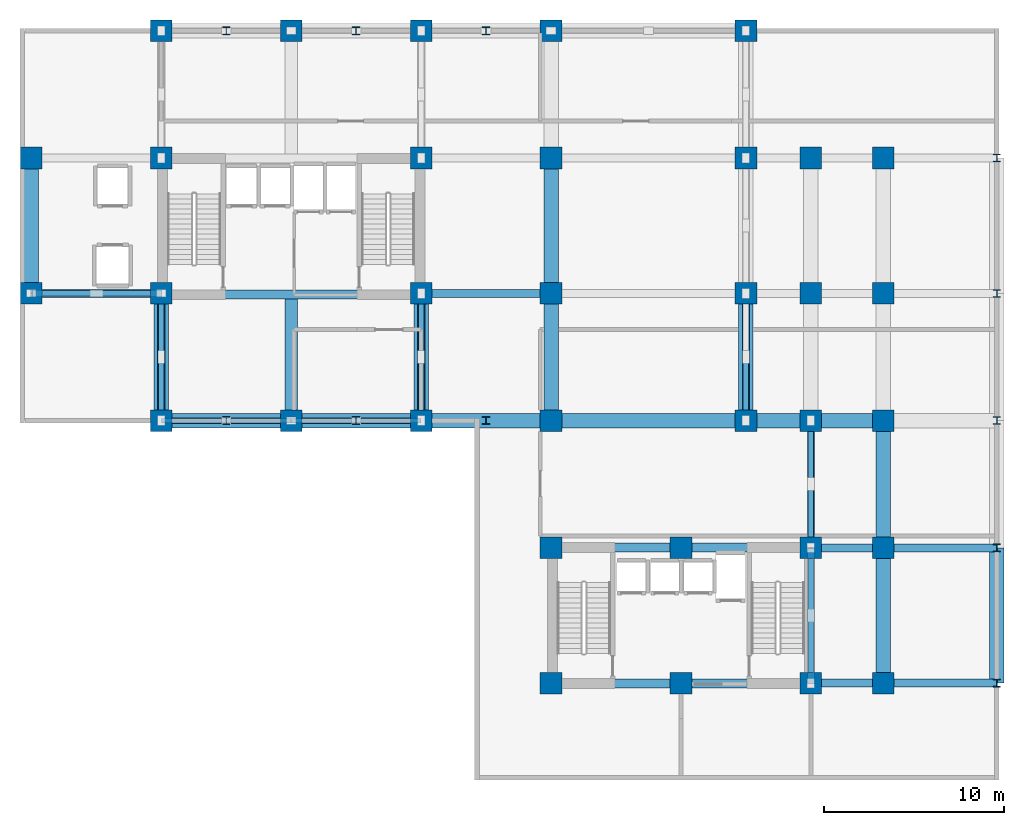
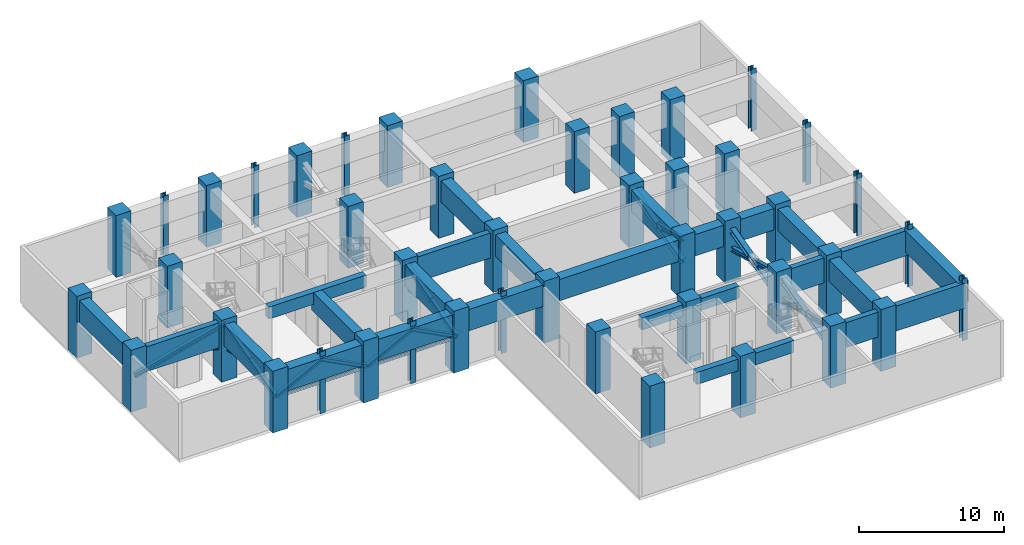
# One storey, part 1 of 8: 45 columns, 25 beams, 23 members.
"""IFC4 building model written with IfcOpenShell, lengths in metres."""

from ifc_helpers import new_model, si_unit, direction, frame, origin, origin_2d, place, context, subcontext, project, spatial, rectangle, i_section, extrude, source, transform, mapped, material, material_profile, profile_set, type_object, element, save


model = new_model("IFC4")

# Units and contexts
model_context = context("Model", 3, precision=1e-05, world=origin(), true_north=direction((0.0, 1.0)))
body_context = subcontext(model_context, "Body", "Model", "MODEL_VIEW")
ifc_project = project(units=[si_unit("LENGTHUNIT", "METRE"), si_unit("AREAUNIT", "SQUARE_METRE"), si_unit("VOLUMEUNIT", "CUBIC_METRE"), si_unit("PLANEANGLEUNIT", "RADIAN"), si_unit("MASSUNIT", "GRAM", prefix="KILO")], contexts=[model_context])

# Site, building, storey
site_placement = place(None, origin())
site = spatial("IfcSite", under=ifc_project, at=site_placement, CompositionType="ELEMENT")
building_placement = place(site_placement, origin())
building = spatial("IfcBuilding", under=site, at=building_placement, Name="Kaliganga Portal Commons", CompositionType="ELEMENT")
storey_placement = place(building_placement, frame((0.0, 0.0, 130.39990234375)))
storey = spatial("IfcBuildingStorey", under=building, at=storey_placement, Name="L33", CompositionType="ELEMENT", Elevation=130.39990234375)

# Columns
ifc_material_1 = material(Name="Concrete C60/75", Category="concrete")
ifc_material_profile_1 = material_profile(ifc_material_1, rectangle(XDim=1.199951171875, YDim=1.199951171875, at=origin_2d()), Name="RC 1200x1200")
ifc_profile_set_1 = profile_set([ifc_material_profile_1], Name="Concrete C60/75")
column_type_1 = type_object("IfcColumnType", Name="COL-MEGA-Z2", PredefinedType="COLUMN", material=ifc_profile_set_1)
shared_shape_1 = source(origin(), body_context, "Body", "SweptSolid", [
    extrude(rectangle(XDim=1.199951171875, YDim=1.199951171875, at=origin_2d()), origin(), (0.0, 0.0, 1.0), 5.2001953125),
])
for number, where, z_axis, x_axis, name in (
    (1, (7.199951171875, 28.64990234375, 0.0), (0.0, 0.0, 1.0), (1.0, 0.0, 0.0), "Column MC-03 L33"),
    (2, (7.199951171875, 36.14990234375, 0.0), (0.0, 0.0, 1.0), (1.0, 0.0, 0.0), "Column MC-03 L33"),
    (3, (14.39990234375, 21.60009765625, 0.0), (0.0, 0.0, 1.0), (1.0, 0.0, 0.0), "Column MC-03 L33"),
    (4, (14.39990234375, 28.64990234375, 0.0), (0.0, 0.0, 1.0), (1.0, 0.0, 0.0), "Column MC-03 L33"),
    (5, (14.39990234375, 36.14990234375, 0.0), (0.0, 0.0, 1.0), (1.0, 0.0, 0.0), "Column MC-03 L33"),
    (6, (14.39990234375, 43.199951171875, 0.0), (0.0, 0.0, 1.0), (1.0, 0.0, 0.0), "Column MC-03 L33"),
    (7, (21.60009765625, 21.60009765625, 0.0), (0.0, 0.0, 1.0), (1.0, 0.0, 0.0), "Column MC-03 L33"),
    (8, (21.60009765625, 43.199951171875, 0.0), (0.0, 0.0, 1.0), (1.0, 0.0, 0.0), "Column MC-03 L33"),
    (9, (28.800048828125, 21.60009765625, 0.0), (0.0, 0.0, 1.0), (1.0, 0.0, 0.0), "Column MC-03 L33"),
    (10, (28.800048828125, 28.64990234375, 0.0), (0.0, 0.0, 1.0), (1.0, 0.0, 0.0), "Column MC-03 L33"),
    (11, (28.800048828125, 36.14990234375, 0.0), (0.0, 0.0, 1.0), (1.0, 0.0, 0.0), "Column MC-03 L33"),
    (12, (28.800048828125, 43.199951171875, 0.0), (0.0, 0.0, 1.0), (1.0, 0.0, 0.0), "Column MC-03 L33"),
    (13, (36.0, 21.60009765625, 0.0), (0.0, 0.0, 1.0), (1.0, 0.0, 0.0), "Column MC-03 L33"),
    (14, (36.0, 43.199951171875, 0.0), (0.0, 0.0, 1.0), (1.0, 0.0, 0.0), "Column MC-03 L33"),
    (15, (36.0, 28.64990234375, 0.0), (0.0, 0.0, 1.0), (1.0, 0.0, 0.0), "Column MC-03 L33"),
    (16, (36.0, 36.14990234375, 0.0), (0.0, 0.0, 1.0), (1.0, 0.0, 0.0), "Column MC-03 L33"),
    (17, (46.800048828125, 21.60009765625, 0.0), (0.0, 0.0, 1.0), (1.0, 0.0, 0.0), "Column MC-03 L33"),
    (18, (46.800048828125, 28.64990234375, 0.0), (0.0, 0.0, 1.0), (1.0, 0.0, 0.0), "Column MC-03 L33"),
    (19, (46.800048828125, 36.14990234375, 0.0), (0.0, 0.0, 1.0), (1.0, 0.0, 0.0), "Column MC-03 L33"),
    (20, (46.800048828125, 43.199951171875, 0.0), (0.0, 0.0, 1.0), (1.0, 0.0, 0.0), "Column MC-03 L33"),
    (21, (36.0, 7.050048828125, 0.0), (0.0, 0.0, 1.0), (1.0, 0.0, 0.0), "Column MC-03 L33"),
    (22, (36.0, 14.550048828125, 0.0), (0.0, 0.0, 1.0), (1.0, 0.0, 0.0), "Column MC-03 L33"),
    (23, (43.199951171875, 7.050048828125, 0.0), (0.0, 0.0, 1.0), (1.0, 0.0, 0.0), "Column MC-03 L33"),
    (24, (43.199951171875, 14.550048828125, 0.0), (0.0, 0.0, 1.0), (1.0, 0.0, 0.0), "Column MC-03 L33"),
    (25, (50.39990234375, 7.050048828125, 0.0), (0.0, 0.0, 1.0), (1.0, 0.0, 0.0), "Column MC-03 L33"),
    (26, (50.39990234375, 14.550048828125, 0.0), (0.0, 0.0, 1.0), (1.0, 0.0, 0.0), "Column MC-03 L33"),
    (27, (50.39990234375, 21.60009765625, 0.0), (0.0, 0.0, 1.0), (1.0, 0.0, 0.0), "Column MC-03 L33"),
    (28, (50.39990234375, 28.64990234375, 0.0), (0.0, 0.0, 1.0), (1.0, 0.0, 0.0), "Column MC-03 L33"),
    (29, (50.39990234375, 36.14990234375, 0.0), (0.0, 0.0, 1.0), (1.0, 0.0, 0.0), "Column MC-03 L33"),
    (30, (54.39990234375, 7.050048828125, 0.0), (0.0, 0.0, 1.0), (1.0, 0.0, 0.0), "Column MC-03 L33"),
    (31, (54.39990234375, 14.550048828125, 0.0), (0.0, 0.0, 1.0), (1.0, 0.0, 0.0), "Column MC-03 L33"),
    (32, (54.39990234375, 21.60009765625, 0.0), (0.0, 0.0, 1.0), (1.0, 0.0, 0.0), "Column MC-03 L33"),
    (33, (54.39990234375, 28.64990234375, 0.0), (0.0, 0.0, 1.0), (1.0, 0.0, 0.0), "Column MC-03 L33"),
    (34, (54.39990234375, 36.14990234375, 0.0), (0.0, 0.0, 1.0), (1.0, 0.0, 0.0), "Column MC-03 L33"),
):
    element("IfcColumn", number, at=place(storey_placement, frame(where, z_axis=z_axis, x_axis=x_axis)), inside=storey, type_object=column_type_1, Name=name, PredefinedType="COLUMN", context=body_context, shape_type="MappedRepresentation", body=[
        mapped(shared_shape_1, transform((0.0, 0.0, 0.0), x_axis=(1.0, 0.0, 0.0), y_axis=(0.0, 1.0, 0.0), z_axis=(0.0, 0.0, 1.0), scale=1.0)),
    ])
ifc_material_2 = material(Name="Structural steel S460M", Category="steel")
ifc_material_profile_2 = material_profile(ifc_material_2, i_section(OverallWidth=0.408935546875, OverallDepth=0.429931640625, WebThickness=0.0244140625, FlangeThickness=0.033447265625, FilletRadius=0.014892578125, at=origin_2d()), Name="HD 400x421")
ifc_profile_set_2 = profile_set([ifc_material_profile_2], Name="Structural steel S460M wide-flange")
column_type_2 = type_object("IfcColumnType", Name="COL-TUBE-B2", PredefinedType="COLUMN", material=ifc_profile_set_2)
shared_shape_2 = source(origin(), body_context, "Body", "SweptSolid", [
    extrude(i_section(OverallWidth=0.408935546875, OverallDepth=0.429931640625, WebThickness=0.0244140625, FlangeThickness=0.033447265625, FilletRadius=0.014892578125, at=origin_2d()), origin(), (0.0, 0.0, 1.0), 5.2001953125),
])
for number, where, z_axis, x_axis, name in (
    (35, (18.0, 21.60009765625, 0.0), (0.0, 0.0, 1.0), (1.0, 0.0, 0.0), "Column TC-02 L33"),
    (36, (18.0, 43.199951171875, 0.0), (0.0, 0.0, 1.0), (1.0, 0.0, 0.0), "Column TC-02 L33"),
    (37, (25.199951171875, 21.60009765625, 0.0), (0.0, 0.0, 1.0), (1.0, 0.0, 0.0), "Column TC-02 L33"),
    (38, (25.199951171875, 43.199951171875, 0.0), (0.0, 0.0, 1.0), (1.0, 0.0, 0.0), "Column TC-02 L33"),
    (39, (32.39990234375, 21.60009765625, 0.0), (0.0, 0.0, 1.0), (1.0, 0.0, 0.0), "Column TC-02 L33"),
    (40, (32.39990234375, 43.199951171875, 0.0), (0.0, 0.0, 1.0), (1.0, 0.0, 0.0), "Column TC-02 L33"),
    (41, (60.699951171875, 7.050048828125, 0.0), (0.0, 0.0, 1.0), (1.0, 0.0, 0.0), "Column TC-02 L33"),
    (42, (60.699951171875, 14.550048828125, 0.0), (0.0, 0.0, 1.0), (1.0, 0.0, 0.0), "Column TC-02 L33"),
    (43, (60.699951171875, 21.60009765625, 0.0), (0.0, 0.0, 1.0), (1.0, 0.0, 0.0), "Column TC-02 L33"),
    (44, (60.699951171875, 28.64990234375, 0.0), (0.0, 0.0, 1.0), (1.0, 0.0, 0.0), "Column TC-02 L33"),
    (45, (60.699951171875, 36.14990234375, 0.0), (0.0, 0.0, 1.0), (1.0, 0.0, 0.0), "Column TC-02 L33"),
):
    element("IfcColumn", number, at=place(storey_placement, frame(where, z_axis=z_axis, x_axis=x_axis)), inside=storey, type_object=column_type_2, Name=name, PredefinedType="COLUMN", context=body_context, shape_type="MappedRepresentation", body=[
        mapped(shared_shape_2, transform((0.0, 0.0, 0.0), x_axis=(1.0, 0.0, 0.0), y_axis=(0.0, 1.0, 0.0), z_axis=(0.0, 0.0, 1.0), scale=1.0)),
    ])

# Beams
ifc_material_3 = material(Name="Concrete C50/60", Category="concrete")
ifc_material_profile_3 = material_profile(ifc_material_3, rectangle(XDim=0.5, YDim=1.0, at=origin_2d()), Name="RC 500x1000")
ifc_profile_set_3 = profile_set([ifc_material_profile_3], Name="Concrete C50/60")
beam_type_1 = type_object("IfcBeamType", Name="BM-CPL-1000", PredefinedType="LINTEL", material=ifc_profile_set_3)
shared_shape_3 = source(origin(), body_context, "Body", "SweptSolid", [
    extrude(rectangle(XDim=0.5, YDim=1.0, at=origin_2d()), origin(), (0.0, 0.0, 1.0), 7.739990234375),
])
for number, where, z_axis, x_axis, name in (
    (46, (17.72998046875, 28.574951171875, 4.280029296875), (1.0, 0.0, 0.0), (0.0, 1.0, 0.0), "BM CPL COREA L33 S"),
    (47, (39.330078125, 7.02490234375, 4.280029296875), (1.0, 0.0, 0.0), (0.0, 1.0, 0.0), "BM CPL COREB L33 S"),
    (48, (39.330078125, 14.574951171875, 4.280029296875), (1.0, 0.0, 0.0), (0.0, 1.0, 0.0), "BM CPL COREB L33 N"),
):
    element("IfcBeam", number, at=place(storey_placement, frame(where, z_axis=z_axis, x_axis=x_axis)), inside=storey, type_object=beam_type_1, Name=name, PredefinedType="LINTEL", context=body_context, shape_type="MappedRepresentation", body=[
        mapped(shared_shape_3, transform((0.0, 0.0, 0.0), x_axis=(1.0, 0.0, 0.0), y_axis=(0.0, 1.0, 0.0), z_axis=(0.0, 0.0, 1.0), scale=1.0)),
    ])
ifc_material_4 = material(Name="Concrete C70/85", Category="concrete")
ifc_material_profile_4 = material_profile(ifc_material_4, rectangle(XDim=0.800048828125, YDim=1.800048828125, at=origin_2d()), Name="RC 800x1800")
ifc_profile_set_4 = profile_set([ifc_material_profile_4], Name="Concrete C70/85")
beam_type_2 = type_object("IfcBeamType", Name="BM-XFER-1800", PredefinedType="T_BEAM", material=ifc_profile_set_4)
shared_shape_4 = source(origin(), body_context, "Body", "SweptSolid", [
    extrude(rectangle(XDim=0.800048828125, YDim=1.800048828125, at=origin_2d()), origin(), (0.0, 0.0, 1.0), 7.2001953125),
])
beam_1_placement = place(storey_placement, frame((14.39990234375, 21.60009765625, 3.880126953125), z_axis=(1.0, 0.0, 0.0), x_axis=(0.0, 1.0, 0.0)))
element("IfcBeam", 49, at=beam_1_placement, inside=storey, type_object=beam_type_2, Name="Transfer Girder BM XFER L33 ASW 1", PredefinedType="T_BEAM", context=body_context, shape_type="MappedRepresentation", body=[
    mapped(shared_shape_4, transform((0.0, 0.0, 0.0), x_axis=(1.0, 0.0, 0.0), y_axis=(0.0, 1.0, 0.0), z_axis=(0.0, 0.0, 1.0), scale=1.0)),
])
shared_shape_5 = source(origin(), body_context, "Body", "SweptSolid", [
    extrude(rectangle(XDim=0.800048828125, YDim=1.800048828125, at=origin_2d()), origin(), (0.0, 0.0, 1.0), 7.199951171875),
])
for number, where, z_axis, x_axis, name in (
    (50, (21.60009765625, 21.60009765625, 3.880126953125), (1.0, 0.0, 0.0), (0.0, 1.0, 0.0), "Transfer Girder BM XFER L33 ASW 2"),
    (51, (28.800048828125, 21.60009765625, 3.880126953125), (1.0, 0.0, 0.0), (0.0, 1.0, 0.0), "Transfer Girder BM XFER L33 ASW 3"),
):
    element("IfcBeam", number, at=place(storey_placement, frame(where, z_axis=z_axis, x_axis=x_axis)), inside=storey, type_object=beam_type_2, Name=name, PredefinedType="T_BEAM", context=body_context, shape_type="MappedRepresentation", body=[
        mapped(shared_shape_5, transform((0.0, 0.0, 0.0), x_axis=(1.0, 0.0, 0.0), y_axis=(0.0, 1.0, 0.0), z_axis=(0.0, 0.0, 1.0), scale=1.0)),
    ])
shared_shape_6 = source(origin(), body_context, "Body", "SweptSolid", [
    extrude(rectangle(XDim=0.800048828125, YDim=1.800048828125, at=origin_2d()), origin(), (0.0, 0.0, 1.0), 10.800048828125),
])
beam_2_placement = place(storey_placement, frame((36.0, 21.60009765625, 3.880126953125), z_axis=(1.0, 0.0, 0.0), x_axis=(0.0, 1.0, 0.0)))
element("IfcBeam", 52, at=beam_2_placement, inside=storey, type_object=beam_type_2, Name="Transfer Girder BM XFER L33 ASE 1", PredefinedType="T_BEAM", context=body_context, shape_type="MappedRepresentation", body=[
    mapped(shared_shape_6, transform((0.0, 0.0, 0.0), x_axis=(1.0, 0.0, 0.0), y_axis=(0.0, 1.0, 0.0), z_axis=(0.0, 0.0, 1.0), scale=1.0)),
])
shared_shape_7 = source(origin(), body_context, "Body", "SweptSolid", [
    extrude(rectangle(XDim=0.800048828125, YDim=1.800048828125, at=origin_2d()), origin(), (0.0, 0.0, 1.0), 3.599853515625),
])
beam_3_placement = place(storey_placement, frame((46.800048828125, 21.60009765625, 3.880126953125), z_axis=(1.0, 0.0, 0.0), x_axis=(0.0, 1.0, 0.0)))
element("IfcBeam", 53, at=beam_3_placement, inside=storey, type_object=beam_type_2, Name="Transfer Girder BM XFER L33 ASE 2", PredefinedType="T_BEAM", context=body_context, shape_type="MappedRepresentation", body=[
    mapped(shared_shape_7, transform((0.0, 0.0, 0.0), x_axis=(1.0, 0.0, 0.0), y_axis=(0.0, 1.0, 0.0), z_axis=(0.0, 0.0, 1.0), scale=1.0)),
])
shared_shape_8 = source(origin(), body_context, "Body", "SweptSolid", [
    extrude(rectangle(XDim=0.800048828125, YDim=1.800048828125, at=origin_2d()), origin(), (0.0, 0.0, 1.0), 4.0),
])
beam_4_placement = place(storey_placement, frame((50.39990234375, 21.60009765625, 3.880126953125), z_axis=(1.0, 0.0, 0.0), x_axis=(0.0, 1.0, 0.0)))
element("IfcBeam", 54, at=beam_4_placement, inside=storey, type_object=beam_type_2, Name="Transfer Girder BM XFER L33 ASE 3", PredefinedType="T_BEAM", context=body_context, shape_type="MappedRepresentation", body=[
    mapped(shared_shape_8, transform((0.0, 0.0, 0.0), x_axis=(1.0, 0.0, 0.0), y_axis=(0.0, 1.0, 0.0), z_axis=(0.0, 0.0, 1.0), scale=1.0)),
])
ifc_material_profile_5 = material_profile(ifc_material_4, rectangle(XDim=0.43994140625, YDim=2.10009765625, at=origin_2d()), Name="RC 440x2100")
ifc_profile_set_5 = profile_set([ifc_material_profile_5], Name="Concrete C70/85")
beam_type_3 = type_object("IfcBeamType", Name="BM-XFER-SLIM", PredefinedType="T_BEAM", material=ifc_profile_set_5)
shared_shape_9 = source(origin(), body_context, "Body", "SweptSolid", [
    extrude(rectangle(XDim=0.43994140625, YDim=2.10009765625, at=origin_2d()), origin(), (0.0, 0.0, 1.0), 7.199951171875),
])
for number, where, z_axis, x_axis, name in (
    (55, (7.199951171875, 28.64990234375, 3.72998046875), (1.0, 0.0, 0.0), (0.0, 1.0, 0.0), "Transfer Girder BM XFER L33 WW1"),
    (56, (28.800048828125, 28.64990234375, 3.72998046875), (1.0, 0.0, 0.0), (0.0, 1.0, 0.0), "Transfer Girder BM XFER L33 WE1 1"),
):
    element("IfcBeam", number, at=place(storey_placement, frame(where, z_axis=z_axis, x_axis=x_axis)), inside=storey, type_object=beam_type_3, Name=name, PredefinedType="T_BEAM", context=body_context, shape_type="MappedRepresentation", body=[
        mapped(shared_shape_9, transform((0.0, 0.0, 0.0), x_axis=(1.0, 0.0, 0.0), y_axis=(0.0, 1.0, 0.0), z_axis=(0.0, 0.0, 1.0), scale=1.0)),
    ])
shared_shape_10 = source(origin(), body_context, "Body", "SweptSolid", [
    extrude(rectangle(XDim=0.43994140625, YDim=2.10009765625, at=origin_2d()), origin(), (0.0, 0.0, 1.0), 4.0),
])
for number, where, z_axis, x_axis, name in (
    (57, (50.39990234375, 7.050048828125, 3.72998046875), (1.0, 0.0, 0.0), (0.0, 1.0, 0.0), "Transfer Girder BM XFER L33 WB1 1"),
    (58, (50.39990234375, 14.550048828125, 3.72998046875), (1.0, 0.0, 0.0), (0.0, 1.0, 0.0), "Transfer Girder BM XFER L33 WB2 1"),
):
    element("IfcBeam", number, at=place(storey_placement, frame(where, z_axis=z_axis, x_axis=x_axis)), inside=storey, type_object=beam_type_3, Name=name, PredefinedType="T_BEAM", context=body_context, shape_type="MappedRepresentation", body=[
        mapped(shared_shape_10, transform((0.0, 0.0, 0.0), x_axis=(1.0, 0.0, 0.0), y_axis=(0.0, 1.0, 0.0), z_axis=(0.0, 0.0, 1.0), scale=1.0)),
    ])
shared_shape_11 = source(origin(), body_context, "Body", "SweptSolid", [
    extrude(rectangle(XDim=0.800048828125, YDim=1.800048828125, at=origin_2d()), origin(), (0.0, 0.0, 1.0), 7.5),
])
for number, where, z_axis, x_axis, name in (
    (59, (7.199951171875, 28.64990234375, 3.880126953125), (0.0, 1.0, 0.0), (-1.0, 0.0, 0.0), "Transfer Girder BM XFER L33 NS72 1"),
    (60, (36.0, 28.64990234375, 3.880126953125), (0.0, 1.0, 0.0), (-1.0, 0.0, 0.0), "Transfer Girder BM XFER L33 NS360 4"),
    (61, (54.39990234375, 7.050048828125, 3.880126953125), (0.0, 1.0, 0.0), (-1.0, 0.0, 0.0), "Transfer Girder BM XFER L33 NS544 1"),
    (62, (60.699951171875, 7.050048828125, 3.880126953125), (0.0, 1.0, 0.0), (-1.0, 0.0, 0.0), "Transfer Girder BM XFER L33 NS607 1"),
):
    element("IfcBeam", number, at=place(storey_placement, frame(where, z_axis=z_axis, x_axis=x_axis)), inside=storey, type_object=beam_type_2, Name=name, PredefinedType="T_BEAM", context=body_context, shape_type="MappedRepresentation", body=[
        mapped(shared_shape_11, transform((0.0, 0.0, 0.0), x_axis=(1.0, 0.0, 0.0), y_axis=(0.0, 1.0, 0.0), z_axis=(0.0, 0.0, 1.0), scale=1.0)),
    ])
shared_shape_12 = source(origin(), body_context, "Body", "SweptSolid", [
    extrude(rectangle(XDim=0.800048828125, YDim=1.800048828125, at=origin_2d()), origin(), (0.0, 0.0, 1.0), 7.0498046875),
])
for number, where, z_axis, x_axis, name in (
    (63, (14.39990234375, 21.60009765625, 3.880126953125), (0.0, 1.0, 0.0), (-1.0, 0.0, 0.0), "Transfer Girder BM XFER L33 NS144 1"),
    (64, (28.800048828125, 21.60009765625, 3.880126953125), (0.0, 1.0, 0.0), (-1.0, 0.0, 0.0), "Transfer Girder BM XFER L33 NS288 1"),
    (65, (36.0, 21.60009765625, 3.880126953125), (0.0, 1.0, 0.0), (-1.0, 0.0, 0.0), "Transfer Girder BM XFER L33 NS360 3"),
    (66, (46.800048828125, 21.60009765625, 3.880126953125), (0.0, 1.0, 0.0), (-1.0, 0.0, 0.0), "Transfer Girder BM XFER L33 NS468 1"),
):
    element("IfcBeam", number, at=place(storey_placement, frame(where, z_axis=z_axis, x_axis=x_axis)), inside=storey, type_object=beam_type_2, Name=name, PredefinedType="T_BEAM", context=body_context, shape_type="MappedRepresentation", body=[
        mapped(shared_shape_12, transform((0.0, 0.0, 0.0), x_axis=(1.0, 0.0, 0.0), y_axis=(0.0, 1.0, 0.0), z_axis=(0.0, 0.0, 1.0), scale=1.0)),
    ])
shared_shape_13 = source(origin(), body_context, "Body", "SweptSolid", [
    extrude(rectangle(XDim=0.800048828125, YDim=1.800048828125, at=origin_2d()), origin(), (0.0, 0.0, 1.0), 7.050048828125),
])
beam_5_placement = place(storey_placement, frame((54.39990234375, 14.550048828125, 3.880126953125), z_axis=(0.0, 1.0, 0.0), x_axis=(-1.0, 0.0, 0.0)))
element("IfcBeam", 67, at=beam_5_placement, inside=storey, type_object=beam_type_2, Name="Transfer Girder BM XFER L33 NS544 2", PredefinedType="T_BEAM", context=body_context, shape_type="MappedRepresentation", body=[
    mapped(shared_shape_13, transform((0.0, 0.0, 0.0), x_axis=(1.0, 0.0, 0.0), y_axis=(0.0, 1.0, 0.0), z_axis=(0.0, 0.0, 1.0), scale=1.0)),
])
ifc_material_profile_6 = material_profile(ifc_material_1, rectangle(XDim=0.699951171875, YDim=1.60009765625, at=origin_2d()), Name="RC 700x1600")
ifc_profile_set_6 = profile_set([ifc_material_profile_6], Name="Concrete C60/75")
beam_type_4 = type_object("IfcBeamType", Name="BM-XFER-1600", PredefinedType="T_BEAM", material=ifc_profile_set_6)
shared_shape_14 = source(origin(), body_context, "Body", "SweptSolid", [
    extrude(rectangle(XDim=0.699951171875, YDim=1.60009765625, at=origin_2d()), origin(), (0.0, 0.0, 1.0), 6.974853515625),
])
beam_6_placement = place(storey_placement, frame((21.60009765625, 21.60009765625, 3.97998046875), z_axis=(0.0, 1.0, 0.0), x_axis=(-1.0, 0.0, 0.0)))
element("IfcBeam", 68, at=beam_6_placement, inside=storey, type_object=beam_type_4, Name="Transfer Girder BM XFER L33 CAS216", PredefinedType="T_BEAM", context=body_context, shape_type="MappedRepresentation", body=[
    mapped(shared_shape_14, transform((0.0, 0.0, 0.0), x_axis=(1.0, 0.0, 0.0), y_axis=(0.0, 1.0, 0.0), z_axis=(0.0, 0.0, 1.0), scale=1.0)),
])

# Members
ifc_material_profile_7 = material_profile(ifc_material_2, i_section(OverallWidth=0.300048828125, OverallDepth=0.360107421875, WebThickness=0.012451171875, FlangeThickness=0.0224609375, FilletRadius=0.027099609375, at=origin_2d()), Name="HE 360 B")
ifc_profile_set_7 = profile_set([ifc_material_profile_7], Name="Structural steel S460M wide-flange")
member_type_1 = type_object("IfcMemberType", Name="MBR-BELT-360", PredefinedType="BRACE", material=ifc_profile_set_7)
shared_shape_15 = source(origin(), body_context, "Body", "SweptSolid", [
    extrude(i_section(OverallWidth=0.300048828125, OverallDepth=0.360107421875, WebThickness=0.012451171875, FlangeThickness=0.0224609375, FilletRadius=0.027099609375, at=origin_2d()), origin(), (0.0, 0.0, 1.0), 3.720703125),
])
for number, where, z_axis, x_axis, name in (
    (69, (14.39990234375, 28.64990234375, 4.43017578125), (-0.967545459367, 0.0, -0.25269702028), (0.0, -1.0, 0.0), "Outrigger Split Counter-Diagonal OT-L33-01B1"),
    (70, (10.800048828125, 28.64990234375, 3.489990234375), (-0.967565688903, 0.0, -0.252619551219), (0.0, -1.0, 0.0), "Outrigger Split Counter-Diagonal OT-L33-01B2"),
):
    element("IfcMember", number, at=place(storey_placement, frame(where, z_axis=z_axis, x_axis=x_axis)), inside=storey, type_object=member_type_1, Name=name, PredefinedType="BRACE", context=body_context, shape_type="MappedRepresentation", body=[
        mapped(shared_shape_15, transform((0.0, 0.0, 0.0), x_axis=(1.0, 0.0, 0.0), y_axis=(0.0, 1.0, 0.0), z_axis=(0.0, 0.0, 1.0), scale=1.0)),
    ])
shared_shape_16 = source(origin(), body_context, "Body", "SweptSolid", [
    extrude(i_section(OverallWidth=0.300048828125, OverallDepth=0.360107421875, WebThickness=0.012451171875, FlangeThickness=0.0224609375, FilletRadius=0.027099609375, at=origin_2d()), origin(), (0.0, 0.0, 1.0), 3.648193359375),
])
for number, where, z_axis, x_axis, name in (
    (71, (14.39990234375, 28.64990234375, 4.43017578125), (0.0, -0.966220498472, -0.257716798699), (1.0, 0.0, 0.0), "Outrigger Split Counter-Diagonal OT-L33-02B1"),
    (72, (14.39990234375, 25.125, 3.489990234375), (0.0, -0.966237161082, -0.257654319862), (1.0, 0.0, 0.0), "Outrigger Split Counter-Diagonal OT-L33-02B2"),
    (73, (28.800048828125, 28.64990234375, 4.43017578125), (0.0, -0.966220498472, -0.257716798699), (1.0, 0.0, 0.0), "Outrigger Split Counter-Diagonal OT-L33-03B1"),
    (74, (28.800048828125, 25.125, 3.489990234375), (0.0, -0.966237161082, -0.257654319862), (1.0, 0.0, 0.0), "Outrigger Split Counter-Diagonal OT-L33-03B2"),
    (75, (46.800048828125, 21.60009765625, 4.43017578125), (0.0, 0.966220498472, -0.257716798699), (-1.0, 0.0, 0.0), "Outrigger Split Counter-Diagonal OT-L33-06B1"),
    (76, (50.39990234375, 14.550048828125, 4.43017578125), (0.0, 0.966220498472, -0.257716798699), (-1.0, 0.0, 0.0), "Outrigger Split Counter-Diagonal OT-L33-10B1"),
    (77, (50.39990234375, 18.074951171875, 3.489990234375), (0.0, 0.966241603398, -0.257637660024), (-1.0, 0.0, 0.0), "Outrigger Split Counter-Diagonal OT-L33-10B2"),
):
    element("IfcMember", number, at=place(storey_placement, frame(where, z_axis=z_axis, x_axis=x_axis)), inside=storey, type_object=member_type_1, Name=name, PredefinedType="BRACE", context=body_context, shape_type="MappedRepresentation", body=[
        mapped(shared_shape_16, transform((0.0, 0.0, 0.0), x_axis=(1.0, 0.0, 0.0), y_axis=(0.0, 1.0, 0.0), z_axis=(0.0, 0.0, 1.0), scale=1.0)),
    ])
shared_shape_17 = source(origin(), body_context, "Body", "SweptSolid", [
    extrude(i_section(OverallWidth=0.300048828125, OverallDepth=0.360107421875, WebThickness=0.012451171875, FlangeThickness=0.0224609375, FilletRadius=0.027099609375, at=origin_2d()), origin(), (0.0, 0.0, 1.0), 3.865966796875),
])
for number, where, z_axis, x_axis, name in (
    (78, (50.39990234375, 7.050048828125, 4.43017578125), (0.0, 0.969978833662, -0.243189354716), (-1.0, 0.0, 0.0), "Outrigger Split Counter-Diagonal OT-L33-09B1"),
    (79, (50.39990234375, 10.800048828125, 3.489990234375), (0.0, 0.969993728352, -0.243129938422), (-1.0, 0.0, 0.0), "Outrigger Split Counter-Diagonal OT-L33-09B2"),
):
    element("IfcMember", number, at=place(storey_placement, frame(where, z_axis=z_axis, x_axis=x_axis)), inside=storey, type_object=member_type_1, Name=name, PredefinedType="BRACE", context=body_context, shape_type="MappedRepresentation", body=[
        mapped(shared_shape_17, transform((0.0, 0.0, 0.0), x_axis=(1.0, 0.0, 0.0), y_axis=(0.0, 1.0, 0.0), z_axis=(0.0, 0.0, 1.0), scale=1.0)),
    ])
ifc_material_profile_8 = material_profile(ifc_material_2, i_section(OverallWidth=0.300048828125, OverallDepth=0.300048828125, WebThickness=0.010986328125, FlangeThickness=0.01904296875, FilletRadius=0.027099609375, at=origin_2d()), Name="HE 300 B")
ifc_profile_set_8 = profile_set([ifc_material_profile_8], Name="Structural steel S460M wide-flange")
member_type_2 = type_object("IfcMemberType", Name="MBR-BELT-300", PredefinedType="BRACE", material=ifc_profile_set_8)
shared_shape_18 = source(origin(), body_context, "Body", "SweptSolid", [
    extrude(i_section(OverallWidth=0.300048828125, OverallDepth=0.300048828125, WebThickness=0.010986328125, FlangeThickness=0.01904296875, FilletRadius=0.027099609375, at=origin_2d()), origin(), (0.0, 0.0, 1.0), 4.0615234375),
])
for number, where, z_axis, x_axis, name in (
    (80, (14.39990234375, 21.60009765625, 2.550048828125), (0.886401495107, 0.0, 0.462917259855), (0.0, 1.0, 0.0), "Belt Truss Diagonal BT-L33-05L"),
    (81, (21.60009765625, 21.60009765625, 2.550048828125), (-0.886401495107, 0.0, 0.462917259855), (0.0, -1.0, 0.0), "Belt Truss Diagonal BT-L33-05R"),
    (82, (28.800048828125, 21.60009765625, 2.550048828125), (-0.886401495107, 0.0, 0.462917259855), (0.0, -1.0, 0.0), "Belt Truss Diagonal BT-L33-06R"),
):
    element("IfcMember", number, at=place(storey_placement, frame(where, z_axis=z_axis, x_axis=x_axis)), inside=storey, type_object=member_type_2, Name=name, PredefinedType="BRACE", context=body_context, shape_type="MappedRepresentation", body=[
        mapped(shared_shape_18, transform((0.0, 0.0, 0.0), x_axis=(1.0, 0.0, 0.0), y_axis=(0.0, 1.0, 0.0), z_axis=(0.0, 0.0, 1.0), scale=1.0)),
    ])
shared_shape_19 = source(origin(), body_context, "Body", "SweptSolid", [
    extrude(i_section(OverallWidth=0.300048828125, OverallDepth=0.300048828125, WebThickness=0.010986328125, FlangeThickness=0.01904296875, FilletRadius=0.027099609375, at=origin_2d()), origin(), (0.0, 0.0, 1.0), 4.061279296875),
])
member_1_placement = place(storey_placement, frame((21.60009765625, 21.60009765625, 2.550048828125), z_axis=(0.88638861268, 0.0, 0.4629419265), x_axis=(0.0, 1.0, 0.0)))
element("IfcMember", 83, at=member_1_placement, inside=storey, type_object=member_type_2, Name="Belt Truss Diagonal BT-L33-06L", PredefinedType="BRACE", context=body_context, shape_type="MappedRepresentation", body=[
    mapped(shared_shape_19, transform((0.0, 0.0, 0.0), x_axis=(1.0, 0.0, 0.0), y_axis=(0.0, 1.0, 0.0), z_axis=(0.0, 0.0, 1.0), scale=1.0)),
])

# Beams
shared_shape_20 = source(origin(), body_context, "Body", "SweptSolid", [
    extrude(rectangle(XDim=0.43994140625, YDim=2.10009765625, at=origin_2d()), origin(), (0.0, 0.0, 1.0), 6.300048828125),
])
for number, where, z_axis, x_axis, name in (
    (84, (54.39990234375, 7.050048828125, 3.72998046875), (1.0, 0.0, 0.0), (0.0, 1.0, 0.0), "Transfer Girder BM XFER L33 WB1 2"),
    (85, (54.39990234375, 14.550048828125, 3.72998046875), (1.0, 0.0, 0.0), (0.0, 1.0, 0.0), "Transfer Girder BM XFER L33 WB2 2"),
):
    element("IfcBeam", number, at=place(storey_placement, frame(where, z_axis=z_axis, x_axis=x_axis)), inside=storey, type_object=beam_type_3, Name=name, PredefinedType="T_BEAM", context=body_context, shape_type="MappedRepresentation", body=[
        mapped(shared_shape_20, transform((0.0, 0.0, 0.0), x_axis=(1.0, 0.0, 0.0), y_axis=(0.0, 1.0, 0.0), z_axis=(0.0, 0.0, 1.0), scale=1.0)),
    ])

# Members
ifc_material_profile_9 = material_profile(ifc_material_2, i_section(OverallWidth=0.40087890625, OverallDepth=0.406005859375, WebThickness=0.018798828125, FlangeThickness=0.025390625, FilletRadius=0.014892578125, at=origin_2d()), Name="HD 400x314")
ifc_profile_set_9 = profile_set([ifc_material_profile_9], Name="Structural steel S460M wide-flange")
member_type_3 = type_object("IfcMemberType", Name="MBR-OUTRIG-382", PredefinedType="USERDEFINED", material=ifc_profile_set_9)
shared_shape_21 = source(origin(), body_context, "Body", "SweptSolid", [
    extrude(i_section(OverallWidth=0.40087890625, OverallDepth=0.406005859375, WebThickness=0.018798828125, FlangeThickness=0.025390625, FilletRadius=0.014892578125, at=origin_2d()), origin(), (0.0, 0.0, 1.0), 7.44140625),
])
member_2_placement = place(storey_placement, frame((14.39990234375, 28.64990234375, 2.550048828125), z_axis=(-0.967555575147, 0.0, 0.252658285043), x_axis=(0.0, -1.0, 0.0)))
element("IfcMember", 86, at=member_2_placement, inside=storey, type_object=member_type_3, Name="Outrigger Strut OT-L33-01A", ObjectType="OUTRIGGER", PredefinedType="USERDEFINED", context=body_context, shape_type="MappedRepresentation", body=[
    mapped(shared_shape_21, transform((0.0, 0.0, 0.0), x_axis=(1.0, 0.0, 0.0), y_axis=(0.0, 1.0, 0.0), z_axis=(0.0, 0.0, 1.0), scale=1.0)),
])
shared_shape_22 = source(origin(), body_context, "Body", "SweptSolid", [
    extrude(i_section(OverallWidth=0.40087890625, OverallDepth=0.406005859375, WebThickness=0.018798828125, FlangeThickness=0.025390625, FilletRadius=0.014892578125, at=origin_2d()), origin(), (0.0, 0.0, 1.0), 7.296142578125),
])
for number, where, z_axis, x_axis, name in (
    (87, (14.39990234375, 28.64990234375, 2.550048828125), (0.0, -0.966228830211, 0.257685559685), (1.0, 0.0, 0.0), "Outrigger Strut OT-L33-02A"),
    (88, (28.800048828125, 28.64990234375, 2.550048828125), (0.0, -0.966228830211, 0.257685559685), (1.0, 0.0, 0.0), "Outrigger Strut OT-L33-03A"),
    (89, (46.800048828125, 21.60009765625, 2.550048828125), (0.0, 0.966228830211, 0.257685559685), (-1.0, 0.0, 0.0), "Outrigger Strut OT-L33-06A"),
):
    element("IfcMember", number, at=place(storey_placement, frame(where, z_axis=z_axis, x_axis=x_axis)), inside=storey, type_object=member_type_3, Name=name, ObjectType="OUTRIGGER", PredefinedType="USERDEFINED", context=body_context, shape_type="MappedRepresentation", body=[
        mapped(shared_shape_22, transform((0.0, 0.0, 0.0), x_axis=(1.0, 0.0, 0.0), y_axis=(0.0, 1.0, 0.0), z_axis=(0.0, 0.0, 1.0), scale=1.0)),
    ])
shared_shape_23 = source(origin(), body_context, "Body", "SweptSolid", [
    extrude(i_section(OverallWidth=0.40087890625, OverallDepth=0.406005859375, WebThickness=0.018798828125, FlangeThickness=0.025390625, FilletRadius=0.014892578125, at=origin_2d()), origin(), (0.0, 0.0, 1.0), 7.29638671875),
])
member_3_placement = place(storey_placement, frame((50.39990234375, 14.550048828125, 2.550048828125), z_axis=(0.0, 0.966231051996, 0.257677228639), x_axis=(-1.0, 0.0, 0.0)))
element("IfcMember", 90, at=member_3_placement, inside=storey, type_object=member_type_3, Name="Outrigger Strut OT-L33-10A", ObjectType="OUTRIGGER", PredefinedType="USERDEFINED", context=body_context, shape_type="MappedRepresentation", body=[
    mapped(shared_shape_23, transform((0.0, 0.0, 0.0), x_axis=(1.0, 0.0, 0.0), y_axis=(0.0, 1.0, 0.0), z_axis=(0.0, 0.0, 1.0), scale=1.0)),
])
shared_shape_24 = source(origin(), body_context, "Body", "SweptSolid", [
    extrude(i_section(OverallWidth=0.40087890625, OverallDepth=0.406005859375, WebThickness=0.018798828125, FlangeThickness=0.025390625, FilletRadius=0.014892578125, at=origin_2d()), origin(), (0.0, 0.0, 1.0), 7.732177734375),
])
member_4_placement = place(storey_placement, frame((50.39990234375, 7.050048828125, 2.550048828125), z_axis=(0.0, 0.969986281405, 0.243159646911), x_axis=(-1.0, 0.0, 0.0)))
element("IfcMember", 91, at=member_4_placement, inside=storey, type_object=member_type_3, Name="Outrigger Strut OT-L33-09A", ObjectType="OUTRIGGER", PredefinedType="USERDEFINED", context=body_context, shape_type="MappedRepresentation", body=[
    mapped(shared_shape_24, transform((0.0, 0.0, 0.0), x_axis=(1.0, 0.0, 0.0), y_axis=(0.0, 1.0, 0.0), z_axis=(0.0, 0.0, 1.0), scale=1.0)),
])
ifc_material_profile_10 = material_profile(ifc_material_2, i_section(OverallWidth=0.260009765625, OverallDepth=0.25, WebThickness=0.007568359375, FlangeThickness=0.012451171875, FilletRadius=0.02392578125, at=origin_2d()), Name="HE 260 A")
ifc_profile_set_10 = profile_set([ifc_material_profile_10], Name="Structural steel S460M wide-flange")
member_type_4 = type_object("IfcMemberType", Name="MBR-CHORD-260A", PredefinedType="CHORD", material=ifc_profile_set_10)
shared_shape_25 = source(origin(), body_context, "Body", "SweptSolid", [
    extrude(i_section(OverallWidth=0.260009765625, OverallDepth=0.25, WebThickness=0.007568359375, FlangeThickness=0.012451171875, FilletRadius=0.02392578125, at=origin_2d()), origin(), (0.0, 0.0, 1.0), 7.2001953125),
])
member_5_placement = place(storey_placement, frame((14.39990234375, 21.60009765625, 2.550048828125), z_axis=(1.0, 0.0, 0.0), x_axis=(0.0, 1.0, 0.0)))
element("IfcMember", 92, at=member_5_placement, inside=storey, type_object=member_type_4, Name="Belt Truss Bottom Chord CHD-L33-05", PredefinedType="CHORD", context=body_context, shape_type="MappedRepresentation", body=[
    mapped(shared_shape_25, transform((0.0, 0.0, 0.0), x_axis=(1.0, 0.0, 0.0), y_axis=(0.0, 1.0, 0.0), z_axis=(0.0, 0.0, 1.0), scale=1.0)),
])
shared_shape_26 = source(origin(), body_context, "Body", "SweptSolid", [
    extrude(i_section(OverallWidth=0.260009765625, OverallDepth=0.25, WebThickness=0.007568359375, FlangeThickness=0.012451171875, FilletRadius=0.02392578125, at=origin_2d()), origin(), (0.0, 0.0, 1.0), 7.199951171875),
])
member_6_placement = place(storey_placement, frame((21.60009765625, 21.60009765625, 2.550048828125), z_axis=(1.0, 0.0, 0.0), x_axis=(0.0, 1.0, 0.0)))
element("IfcMember", 93, at=member_6_placement, inside=storey, type_object=member_type_4, Name="Belt Truss Bottom Chord CHD-L33-06", PredefinedType="CHORD", context=body_context, shape_type="MappedRepresentation", body=[
    mapped(shared_shape_26, transform((0.0, 0.0, 0.0), x_axis=(1.0, 0.0, 0.0), y_axis=(0.0, 1.0, 0.0), z_axis=(0.0, 0.0, 1.0), scale=1.0)),
])

save(model, "model.ifc")
